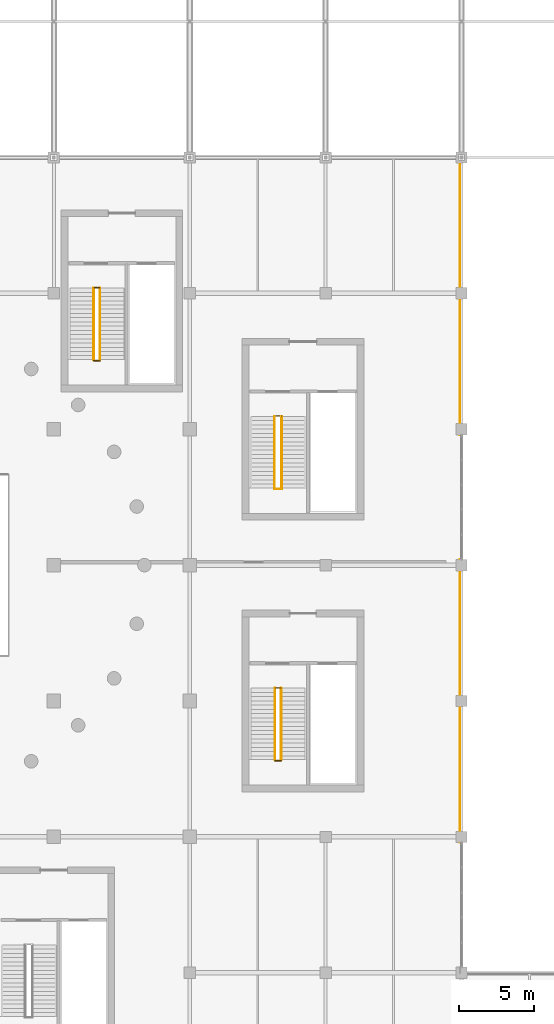
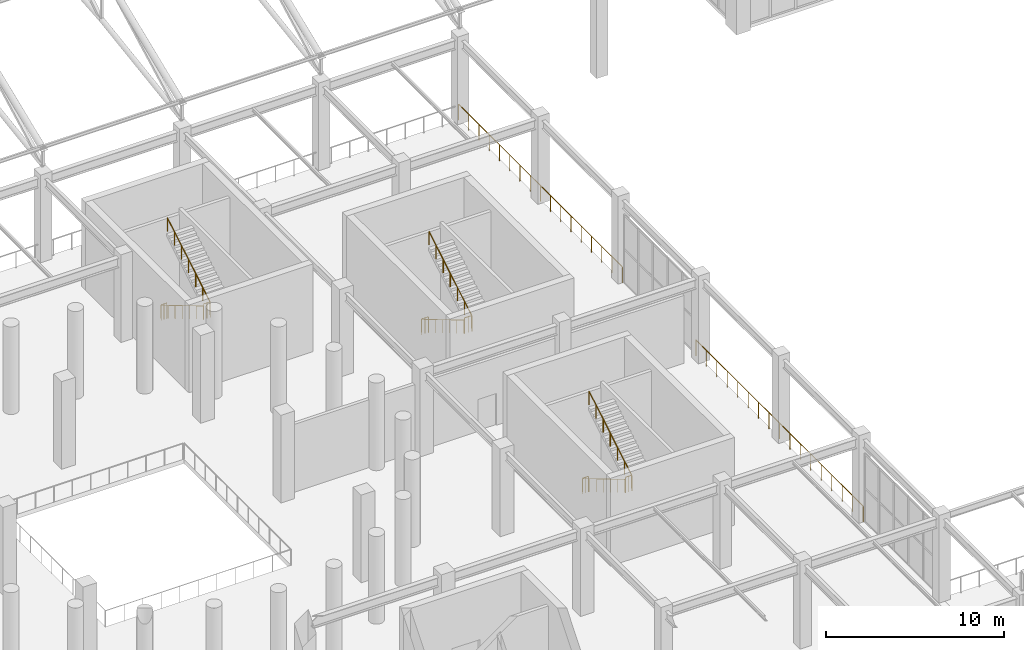
# One storey, part 217 of 223: 14 railings.
"""IFC4 building model written with IfcOpenShell, lengths in metres."""

from ifc_helpers import new_model, si_unit, direction, frame, origin, origin_2d, place, context, subcontext, project, spatial, circle, extrude, material, type_object, element, save


model = new_model("IFC4")

# Units and contexts
model_context = context("Model", 3, precision=1e-05, world=origin(), true_north=direction((0.0, 1.0)))
body_context = subcontext(model_context, "Body", "Model", "MODEL_VIEW")
ifc_project = project(units=[si_unit("LENGTHUNIT", "METRE"), si_unit("AREAUNIT", "SQUARE_METRE"), si_unit("VOLUMEUNIT", "CUBIC_METRE"), si_unit("PLANEANGLEUNIT", "RADIAN"), si_unit("MASSUNIT", "GRAM", prefix="KILO")], contexts=[model_context])

# Site, building, storey
site_placement = place(None, origin())
site = spatial("IfcSite", under=ifc_project, at=site_placement, CompositionType="ELEMENT")
building_placement = place(site_placement, origin())
building = spatial("IfcBuilding", under=site, at=building_placement, Name="Dornveld Trade and Exhibition Forum", CompositionType="ELEMENT")
storey_placement = place(building_placement, frame((0.0, 0.0, 6.0)))
storey = spatial("IfcBuildingStorey", under=building, at=storey_placement, Name="L01", CompositionType="ELEMENT", Elevation=6.0)

# Railings
ifc_material_1 = material(Name="Dark-bronze steel and laminated glass balustrade", Category="steel")
railing_type_1 = type_object("IfcRailingType", Name="RL-BALUST-CONC", PredefinedType="BALUSTRADE", material=ifc_material_1)
railing_1_placement = place(storey_placement, frame((152.89990234375, 108.0, 0.0)))
element("IfcRailing", 1, at=railing_1_placement, inside=storey, type_object=railing_type_1, Name="L01 deck edge balustrade 21", PredefinedType="BALUSTRADE", context=body_context, shape_type="SweptSolid", body=[
    extrude(circle(Radius=0.02490234375, at=origin_2d()), frame((0.0, 0.0, 1.09521484375), z_axis=(0.0, -1.0, 0.0), x_axis=(1.0, 0.0, 0.0)), (0.0, 0.0, 1.0), 18.37109375),
    extrude(circle(Radius=0.02099609375, at=origin_2d()), origin(), (0.0, 0.0, 1.0), 1.070068359375),
    extrude(circle(Radius=0.02099609375, at=origin_2d()), frame((0.0, -1.148193359375, 0.0)), (0.0, 0.0, 1.0), 1.070068359375),
    extrude(circle(Radius=0.02099609375, at=origin_2d()), frame((0.0, -2.29638671875, 0.0)), (0.0, 0.0, 1.0), 1.070068359375),
    extrude(circle(Radius=0.02099609375, at=origin_2d()), frame((0.0, -3.444580078125, 0.0)), (0.0, 0.0, 1.0), 1.070068359375),
    extrude(circle(Radius=0.02099609375, at=origin_2d()), frame((0.0, -4.5927734375, 0.0)), (0.0, 0.0, 1.0), 1.070068359375),
    extrude(circle(Radius=0.02099609375, at=origin_2d()), frame((0.0, -5.740966796875, 0.0)), (0.0, 0.0, 1.0), 1.070068359375),
    extrude(circle(Radius=0.02099609375, at=origin_2d()), frame((0.0, -6.88916015625, 0.0)), (0.0, 0.0, 1.0), 1.070068359375),
    extrude(circle(Radius=0.02099609375, at=origin_2d()), frame((0.0, -8.037353515625, 0.0)), (0.0, 0.0, 1.0), 1.070068359375),
    extrude(circle(Radius=0.02099609375, at=origin_2d()), frame((0.0, -9.185546875, 0.0)), (0.0, 0.0, 1.0), 1.070068359375),
    extrude(circle(Radius=0.02099609375, at=origin_2d()), frame((0.0, -10.333740234375, 0.0)), (0.0, 0.0, 1.0), 1.070068359375),
    extrude(circle(Radius=0.02099609375, at=origin_2d()), frame((0.0, -11.48193359375, 0.0)), (0.0, 0.0, 1.0), 1.070068359375),
    extrude(circle(Radius=0.02099609375, at=origin_2d()), frame((0.0, -12.630126953125, 0.0)), (0.0, 0.0, 1.0), 1.070068359375),
    extrude(circle(Radius=0.02099609375, at=origin_2d()), frame((0.0, -13.7783203125, 0.0)), (0.0, 0.0, 1.0), 1.070068359375),
    extrude(circle(Radius=0.02099609375, at=origin_2d()), frame((0.0, -14.926513671875, 0.0)), (0.0, 0.0, 1.0), 1.070068359375),
    extrude(circle(Radius=0.02099609375, at=origin_2d()), frame((0.0, -16.07470703125, 0.0)), (0.0, 0.0, 1.0), 1.070068359375),
    extrude(circle(Radius=0.02099609375, at=origin_2d()), frame((0.0, -17.222900390625, 0.0)), (0.0, 0.0, 1.0), 1.070068359375),
    extrude(circle(Radius=0.02099609375, at=origin_2d()), frame((0.0, -18.37109375, 0.0)), (0.0, 0.0, 1.0), 1.070068359375),
])
railing_2_placement = place(storey_placement, frame((152.89990234375, 81.37109375, 0.0)))
element("IfcRailing", 2, at=railing_2_placement, inside=storey, type_object=railing_type_1, Name="L01 deck edge balustrade 22", PredefinedType="BALUSTRADE", context=body_context, shape_type="SweptSolid", body=[
    extrude(circle(Radius=0.02490234375, at=origin_2d()), frame((0.0, 0.0, 1.09521484375), z_axis=(0.0, -1.0, 0.0), x_axis=(1.0, 0.0, 0.0)), (0.0, 0.0, 1.0), 18.7421875),
    extrude(circle(Radius=0.02099609375, at=origin_2d()), origin(), (0.0, 0.0, 1.0), 1.070068359375),
    extrude(circle(Radius=0.02099609375, at=origin_2d()), frame((0.0, -1.17138671875, 0.0)), (0.0, 0.0, 1.0), 1.070068359375),
    extrude(circle(Radius=0.02099609375, at=origin_2d()), frame((0.0, -2.3427734375, 0.0)), (0.0, 0.0, 1.0), 1.070068359375),
    extrude(circle(Radius=0.02099609375, at=origin_2d()), frame((0.0, -3.51416015625, 0.0)), (0.0, 0.0, 1.0), 1.070068359375),
    extrude(circle(Radius=0.02099609375, at=origin_2d()), frame((0.0, -4.685546875, 0.0)), (0.0, 0.0, 1.0), 1.070068359375),
    extrude(circle(Radius=0.02099609375, at=origin_2d()), frame((0.0, -5.85693359375, 0.0)), (0.0, 0.0, 1.0), 1.070068359375),
    extrude(circle(Radius=0.02099609375, at=origin_2d()), frame((0.0, -7.0283203125, 0.0)), (0.0, 0.0, 1.0), 1.070068359375),
    extrude(circle(Radius=0.02099609375, at=origin_2d()), frame((0.0, -8.19970703125, 0.0)), (0.0, 0.0, 1.0), 1.070068359375),
    extrude(circle(Radius=0.02099609375, at=origin_2d()), frame((0.0, -9.37109375, 0.0)), (0.0, 0.0, 1.0), 1.070068359375),
    extrude(circle(Radius=0.02099609375, at=origin_2d()), frame((0.0, -10.54248046875, 0.0)), (0.0, 0.0, 1.0), 1.070068359375),
    extrude(circle(Radius=0.02099609375, at=origin_2d()), frame((0.0, -11.7138671875, 0.0)), (0.0, 0.0, 1.0), 1.070068359375),
    extrude(circle(Radius=0.02099609375, at=origin_2d()), frame((0.0, -12.88525390625, 0.0)), (0.0, 0.0, 1.0), 1.070068359375),
    extrude(circle(Radius=0.02099609375, at=origin_2d()), frame((0.0, -14.056640625, 0.0)), (0.0, 0.0, 1.0), 1.070068359375),
    extrude(circle(Radius=0.02099609375, at=origin_2d()), frame((0.0, -15.22802734375, 0.0)), (0.0, 0.0, 1.0), 1.070068359375),
    extrude(circle(Radius=0.02099609375, at=origin_2d()), frame((0.0, -16.3994140625, 0.0)), (0.0, 0.0, 1.0), 1.070068359375),
    extrude(circle(Radius=0.02099609375, at=origin_2d()), frame((0.0, -17.57080078125, 0.0)), (0.0, 0.0, 1.0), 1.070068359375),
    extrude(circle(Radius=0.02099609375, at=origin_2d()), frame((0.0, -18.7421875, 0.0)), (0.0, 0.0, 1.0), 1.070068359375),
])
ifc_material_2 = material(Name="Brushed stainless steel handrail", Category="steel")
railing_type_2 = type_object("IfcRailingType", Name="RL-HAND-920", PredefinedType="HANDRAIL", material=ifc_material_2)
railing_3_placement = place(storey_placement, frame((140.60498046875, 90.85009765625, 0.166748046875)))
element("IfcRailing", 3, at=railing_3_placement, inside=storey, type_object=railing_type_2, Name="ST-01-L01 flight 1 handrail", PredefinedType="HANDRAIL", context=body_context, shape_type="SweptSolid", body=[
    extrude(circle(Radius=0.02099609375, at=origin_2d()), frame((0.0, 0.0, 0.89892578125), z_axis=(0.0, -0.859299802514, 0.511472237174), x_axis=(1.0, 0.0, 0.0)), (0.0, 0.0, 1.0), 5.539306640625),
    extrude(circle(Radius=0.01806640625, at=origin_2d()), origin(), (0.0, 0.0, 1.0), 0.8779296875),
    extrude(circle(Radius=0.01806640625, at=origin_2d()), frame((0.0, -0.79345703125, 0.47216796875)), (0.0, 0.0, 1.0), 0.8779296875),
    extrude(circle(Radius=0.01806640625, at=origin_2d()), frame((0.0, -1.586669921875, 0.9443359375)), (0.0, 0.0, 1.0), 0.8779296875),
    extrude(circle(Radius=0.01806640625, at=origin_2d()), frame((0.0, -2.3798828125, 1.41650390625)), (0.0, 0.0, 1.0), 0.8779296875),
    extrude(circle(Radius=0.01806640625, at=origin_2d()), frame((0.0, -3.17333984375, 1.888916015625)), (0.0, 0.0, 1.0), 0.8779296875),
    extrude(circle(Radius=0.01806640625, at=origin_2d()), frame((0.0, -3.966796875, 2.361083984375)), (0.0, 0.0, 1.0), 0.8779296875),
    extrude(circle(Radius=0.01806640625, at=origin_2d()), frame((0.0, -4.760009765625, 2.833251953125)), (0.0, 0.0, 1.0), 0.8779296875),
])
railing_4_placement = place(storey_placement, frame((141.094970703125, 86.090087890625, 3.166748046875)))
element("IfcRailing", 4, at=railing_4_placement, inside=storey, type_object=railing_type_2, Name="ST-01-L01 flight 2 handrail", PredefinedType="HANDRAIL", context=body_context, shape_type="SweptSolid", body=[
    extrude(circle(Radius=0.02099609375, at=origin_2d()), frame((0.0, 0.0, 0.89892578125), z_axis=(0.0, 0.859299802514, 0.511472237174), x_axis=(-1.0, 0.0, 0.0)), (0.0, 0.0, 1.0), 5.539306640625),
    extrude(circle(Radius=0.01806640625, at=origin_2d()), origin(), (0.0, 0.0, 1.0), 0.8779296875),
    extrude(circle(Radius=0.01806640625, at=origin_2d()), frame((0.0, 0.79345703125, 0.47216796875)), (0.0, 0.0, 1.0), 0.8779296875),
    extrude(circle(Radius=0.01806640625, at=origin_2d()), frame((0.0, 1.586669921875, 0.9443359375)), (0.0, 0.0, 1.0), 0.8779296875),
    extrude(circle(Radius=0.01806640625, at=origin_2d()), frame((0.0, 2.3798828125, 1.41650390625)), (0.0, 0.0, 1.0), 0.8779296875),
    extrude(circle(Radius=0.01806640625, at=origin_2d()), frame((0.0, 3.17333984375, 1.888916015625)), (0.0, 0.0, 1.0), 0.8779296875),
    extrude(circle(Radius=0.01806640625, at=origin_2d()), frame((0.0, 3.966796875, 2.361083984375)), (0.0, 0.0, 1.0), 0.8779296875),
    extrude(circle(Radius=0.01806640625, at=origin_2d()), frame((0.0, 4.760009765625, 2.833251953125)), (0.0, 0.0, 1.0), 0.8779296875),
])
railing_5_placement = place(storey_placement, frame((128.639892578125, 99.35009765625, 0.166748046875)))
element("IfcRailing", 5, at=railing_5_placement, inside=storey, type_object=railing_type_2, Name="ST-02-L01 flight 1 handrail", PredefinedType="HANDRAIL", context=body_context, shape_type="SweptSolid", body=[
    extrude(circle(Radius=0.02099609375, at=origin_2d()), frame((0.0, 0.0, 0.89892578125), z_axis=(0.0, -0.859299802514, 0.511472237174), x_axis=(1.0, 0.0, 0.0)), (0.0, 0.0, 1.0), 5.539306640625),
    extrude(circle(Radius=0.01806640625, at=origin_2d()), origin(), (0.0, 0.0, 1.0), 0.8779296875),
    extrude(circle(Radius=0.01806640625, at=origin_2d()), frame((0.0, -0.79345703125, 0.47216796875)), (0.0, 0.0, 1.0), 0.8779296875),
    extrude(circle(Radius=0.01806640625, at=origin_2d()), frame((0.0, -1.586669921875, 0.9443359375)), (0.0, 0.0, 1.0), 0.8779296875),
    extrude(circle(Radius=0.01806640625, at=origin_2d()), frame((0.0, -2.3798828125, 1.41650390625)), (0.0, 0.0, 1.0), 0.8779296875),
    extrude(circle(Radius=0.01806640625, at=origin_2d()), frame((0.0, -3.17333984375, 1.888916015625)), (0.0, 0.0, 1.0), 0.8779296875),
    extrude(circle(Radius=0.01806640625, at=origin_2d()), frame((0.0, -3.966796875, 2.361083984375)), (0.0, 0.0, 1.0), 0.8779296875),
    extrude(circle(Radius=0.01806640625, at=origin_2d()), frame((0.0, -4.760009765625, 2.833251953125)), (0.0, 0.0, 1.0), 0.8779296875),
])
railing_6_placement = place(storey_placement, frame((129.06005859375, 94.590087890625, 3.166748046875)))
element("IfcRailing", 6, at=railing_6_placement, inside=storey, type_object=railing_type_2, Name="ST-02-L01 flight 2 handrail", PredefinedType="HANDRAIL", context=body_context, shape_type="SweptSolid", body=[
    extrude(circle(Radius=0.02099609375, at=origin_2d()), frame((0.0, 0.0, 0.89892578125), z_axis=(0.0, 0.859299802514, 0.511472237174), x_axis=(-1.0, 0.0, 0.0)), (0.0, 0.0, 1.0), 5.539306640625),
    extrude(circle(Radius=0.01806640625, at=origin_2d()), origin(), (0.0, 0.0, 1.0), 0.8779296875),
    extrude(circle(Radius=0.01806640625, at=origin_2d()), frame((0.0, 0.79345703125, 0.47216796875)), (0.0, 0.0, 1.0), 0.8779296875),
    extrude(circle(Radius=0.01806640625, at=origin_2d()), frame((0.0, 1.586669921875, 0.9443359375)), (0.0, 0.0, 1.0), 0.8779296875),
    extrude(circle(Radius=0.01806640625, at=origin_2d()), frame((0.0, 2.3798828125, 1.41650390625)), (0.0, 0.0, 1.0), 0.8779296875),
    extrude(circle(Radius=0.01806640625, at=origin_2d()), frame((0.0, 3.17333984375, 1.888916015625)), (0.0, 0.0, 1.0), 0.8779296875),
    extrude(circle(Radius=0.01806640625, at=origin_2d()), frame((0.0, 3.966796875, 2.361083984375)), (0.0, 0.0, 1.0), 0.8779296875),
    extrude(circle(Radius=0.01806640625, at=origin_2d()), frame((0.0, 4.760009765625, 2.833251953125)), (0.0, 0.0, 1.0), 0.8779296875),
])
railing_7_placement = place(storey_placement, frame((140.639892578125, 72.85009765625, 0.166748046875)))
element("IfcRailing", 7, at=railing_7_placement, inside=storey, type_object=railing_type_2, Name="ST-08-L01 flight 1 handrail", PredefinedType="HANDRAIL", context=body_context, shape_type="SweptSolid", body=[
    extrude(circle(Radius=0.02099609375, at=origin_2d()), frame((0.0, 0.0, 0.89892578125), z_axis=(0.0, -0.859299802514, 0.511472237174), x_axis=(1.0, 0.0, 0.0)), (0.0, 0.0, 1.0), 5.539306640625),
    extrude(circle(Radius=0.01806640625, at=origin_2d()), origin(), (0.0, 0.0, 1.0), 0.8779296875),
    extrude(circle(Radius=0.01806640625, at=origin_2d()), frame((0.0, -0.79345703125, 0.47216796875)), (0.0, 0.0, 1.0), 0.8779296875),
    extrude(circle(Radius=0.01806640625, at=origin_2d()), frame((0.0, -1.586669921875, 0.9443359375)), (0.0, 0.0, 1.0), 0.8779296875),
    extrude(circle(Radius=0.01806640625, at=origin_2d()), frame((0.0, -2.3798828125, 1.41650390625)), (0.0, 0.0, 1.0), 0.8779296875),
    extrude(circle(Radius=0.01806640625, at=origin_2d()), frame((0.0, -3.17333984375, 1.888916015625)), (0.0, 0.0, 1.0), 0.8779296875),
    extrude(circle(Radius=0.01806640625, at=origin_2d()), frame((0.0, -3.966796875, 2.361083984375)), (0.0, 0.0, 1.0), 0.8779296875),
    extrude(circle(Radius=0.01806640625, at=origin_2d()), frame((0.0, -4.760009765625, 2.833251953125)), (0.0, 0.0, 1.0), 0.8779296875),
])
railing_8_placement = place(storey_placement, frame((141.06005859375, 68.090087890625, 3.166748046875)))
element("IfcRailing", 8, at=railing_8_placement, inside=storey, type_object=railing_type_2, Name="ST-08-L01 flight 2 handrail", PredefinedType="HANDRAIL", context=body_context, shape_type="SweptSolid", body=[
    extrude(circle(Radius=0.02099609375, at=origin_2d()), frame((0.0, 0.0, 0.89892578125), z_axis=(0.0, 0.859299802514, 0.511472237174), x_axis=(-1.0, 0.0, 0.0)), (0.0, 0.0, 1.0), 5.539306640625),
    extrude(circle(Radius=0.01806640625, at=origin_2d()), origin(), (0.0, 0.0, 1.0), 0.8779296875),
    extrude(circle(Radius=0.01806640625, at=origin_2d()), frame((0.0, 0.79345703125, 0.47216796875)), (0.0, 0.0, 1.0), 0.8779296875),
    extrude(circle(Radius=0.01806640625, at=origin_2d()), frame((0.0, 1.586669921875, 0.9443359375)), (0.0, 0.0, 1.0), 0.8779296875),
    extrude(circle(Radius=0.01806640625, at=origin_2d()), frame((0.0, 2.3798828125, 1.41650390625)), (0.0, 0.0, 1.0), 0.8779296875),
    extrude(circle(Radius=0.01806640625, at=origin_2d()), frame((0.0, 3.17333984375, 1.888916015625)), (0.0, 0.0, 1.0), 0.8779296875),
    extrude(circle(Radius=0.01806640625, at=origin_2d()), frame((0.0, 3.966796875, 2.361083984375)), (0.0, 0.0, 1.0), 0.8779296875),
    extrude(circle(Radius=0.01806640625, at=origin_2d()), frame((0.0, 4.760009765625, 2.833251953125)), (0.0, 0.0, 1.0), 0.8779296875),
])
ifc_material_3 = material(Name="Painted steel S355J2 stair-well guard", Category="steel")
railing_type_3 = type_object("IfcRailingType", Name="RL-WELL-110", PredefinedType="GUARDRAIL", material=ifc_material_3)
railing_9_placement = place(storey_placement, frame((140.60498046875, 86.0400390625, 3.0)))
element("IfcRailing", 9, at=railing_9_placement, inside=storey, type_object=railing_type_3, Name="ST-01-L01 half-landing well guard", PredefinedType="GUARDRAIL", context=body_context, shape_type="SweptSolid", body=[
    extrude(circle(Radius=0.02392578125, at=origin_2d()), frame((0.0, 0.0, 1.076171875), z_axis=(1.0, 0.0, 0.0), x_axis=(0.0, 1.0, 0.0)), (0.0, 0.0, 1.0), 0.489990234375),
    extrude(circle(Radius=0.02001953125, at=origin_2d()), origin(), (0.0, 0.0, 1.0), 1.052001953125),
    extrude(circle(Radius=0.02001953125, at=origin_2d()), frame((0.2451171875, 0.0, 0.0)), (0.0, 0.0, 1.0), 1.052001953125),
    extrude(circle(Radius=0.02001953125, at=origin_2d()), frame((0.489990234375, 0.0, 0.0)), (0.0, 0.0, 1.0), 1.052001953125),
])
railing_10_placement = place(storey_placement, frame((140.635009765625, 90.8701171875, 0.0)))
element("IfcRailing", 10, at=railing_10_placement, inside=storey, type_object=railing_type_3, Name="CORE-01 L01 stair-slot floor guard", PredefinedType="GUARDRAIL", context=body_context, shape_type="SweptSolid", body=[
    extrude(circle(Radius=0.02392578125, at=origin_2d()), frame((0.0, 0.0, 1.076171875), z_axis=(1.0, 0.0, 0.0), x_axis=(0.0, 1.0, 0.0)), (0.0, 0.0, 1.0), 0.429931640625),
    extrude(circle(Radius=0.02001953125, at=origin_2d()), origin(), (0.0, 0.0, 1.0), 1.052001953125),
    extrude(circle(Radius=0.02001953125, at=origin_2d()), frame((0.21484375, 0.0, 0.0)), (0.0, 0.0, 1.0), 1.052001953125),
    extrude(circle(Radius=0.02001953125, at=origin_2d()), frame((0.429931640625, 0.0, 0.0)), (0.0, 0.0, 1.0), 1.052001953125),
])
railing_11_placement = place(storey_placement, frame((128.639892578125, 94.5400390625, 3.0)))
element("IfcRailing", 11, at=railing_11_placement, inside=storey, type_object=railing_type_3, Name="ST-02-L01 half-landing well guard", PredefinedType="GUARDRAIL", context=body_context, shape_type="SweptSolid", body=[
    extrude(circle(Radius=0.02392578125, at=origin_2d()), frame((0.0, 0.0, 1.076171875), z_axis=(1.0, 0.0, 0.0), x_axis=(0.0, 1.0, 0.0)), (0.0, 0.0, 1.0), 0.420166015625),
    extrude(circle(Radius=0.02001953125, at=origin_2d()), origin(), (0.0, 0.0, 1.0), 1.052001953125),
    extrude(circle(Radius=0.02001953125, at=origin_2d()), frame((0.2099609375, 0.0, 0.0)), (0.0, 0.0, 1.0), 1.052001953125),
    extrude(circle(Radius=0.02001953125, at=origin_2d()), frame((0.420166015625, 0.0, 0.0)), (0.0, 0.0, 1.0), 1.052001953125),
])
railing_12_placement = place(storey_placement, frame((128.669921875, 99.3701171875, 0.0)))
element("IfcRailing", 12, at=railing_12_placement, inside=storey, type_object=railing_type_3, Name="CORE-02 L01 stair-slot floor guard", PredefinedType="GUARDRAIL", context=body_context, shape_type="SweptSolid", body=[
    extrude(circle(Radius=0.02392578125, at=origin_2d()), frame((0.0, 0.0, 1.076171875), z_axis=(1.0, 0.0, 0.0), x_axis=(0.0, 1.0, 0.0)), (0.0, 0.0, 1.0), 0.360107421875),
    extrude(circle(Radius=0.02001953125, at=origin_2d()), origin(), (0.0, 0.0, 1.0), 1.052001953125),
    extrude(circle(Radius=0.02001953125, at=origin_2d()), frame((0.18017578125, 0.0, 0.0)), (0.0, 0.0, 1.0), 1.052001953125),
    extrude(circle(Radius=0.02001953125, at=origin_2d()), frame((0.360107421875, 0.0, 0.0)), (0.0, 0.0, 1.0), 1.052001953125),
])
railing_13_placement = place(storey_placement, frame((140.639892578125, 68.0400390625, 3.0)))
element("IfcRailing", 13, at=railing_13_placement, inside=storey, type_object=railing_type_3, Name="ST-08-L01 half-landing well guard", PredefinedType="GUARDRAIL", context=body_context, shape_type="SweptSolid", body=[
    extrude(circle(Radius=0.02392578125, at=origin_2d()), frame((0.0, 0.0, 1.076171875), z_axis=(1.0, 0.0, 0.0), x_axis=(0.0, 1.0, 0.0)), (0.0, 0.0, 1.0), 0.420166015625),
    extrude(circle(Radius=0.02001953125, at=origin_2d()), origin(), (0.0, 0.0, 1.0), 1.052001953125),
    extrude(circle(Radius=0.02001953125, at=origin_2d()), frame((0.2099609375, 0.0, 0.0)), (0.0, 0.0, 1.0), 1.052001953125),
    extrude(circle(Radius=0.02001953125, at=origin_2d()), frame((0.420166015625, 0.0, 0.0)), (0.0, 0.0, 1.0), 1.052001953125),
])
railing_14_placement = place(storey_placement, frame((140.669921875, 72.8701171875, 0.0)))
element("IfcRailing", 14, at=railing_14_placement, inside=storey, type_object=railing_type_3, Name="CORE-08 L01 stair-slot floor guard", PredefinedType="GUARDRAIL", context=body_context, shape_type="SweptSolid", body=[
    extrude(circle(Radius=0.02392578125, at=origin_2d()), frame((0.0, 0.0, 1.076171875), z_axis=(1.0, 0.0, 0.0), x_axis=(0.0, 1.0, 0.0)), (0.0, 0.0, 1.0), 0.360107421875),
    extrude(circle(Radius=0.02001953125, at=origin_2d()), origin(), (0.0, 0.0, 1.0), 1.052001953125),
    extrude(circle(Radius=0.02001953125, at=origin_2d()), frame((0.18017578125, 0.0, 0.0)), (0.0, 0.0, 1.0), 1.052001953125),
    extrude(circle(Radius=0.02001953125, at=origin_2d()), frame((0.360107421875, 0.0, 0.0)), (0.0, 0.0, 1.0), 1.052001953125),
])

save(model, "model.ifc")
